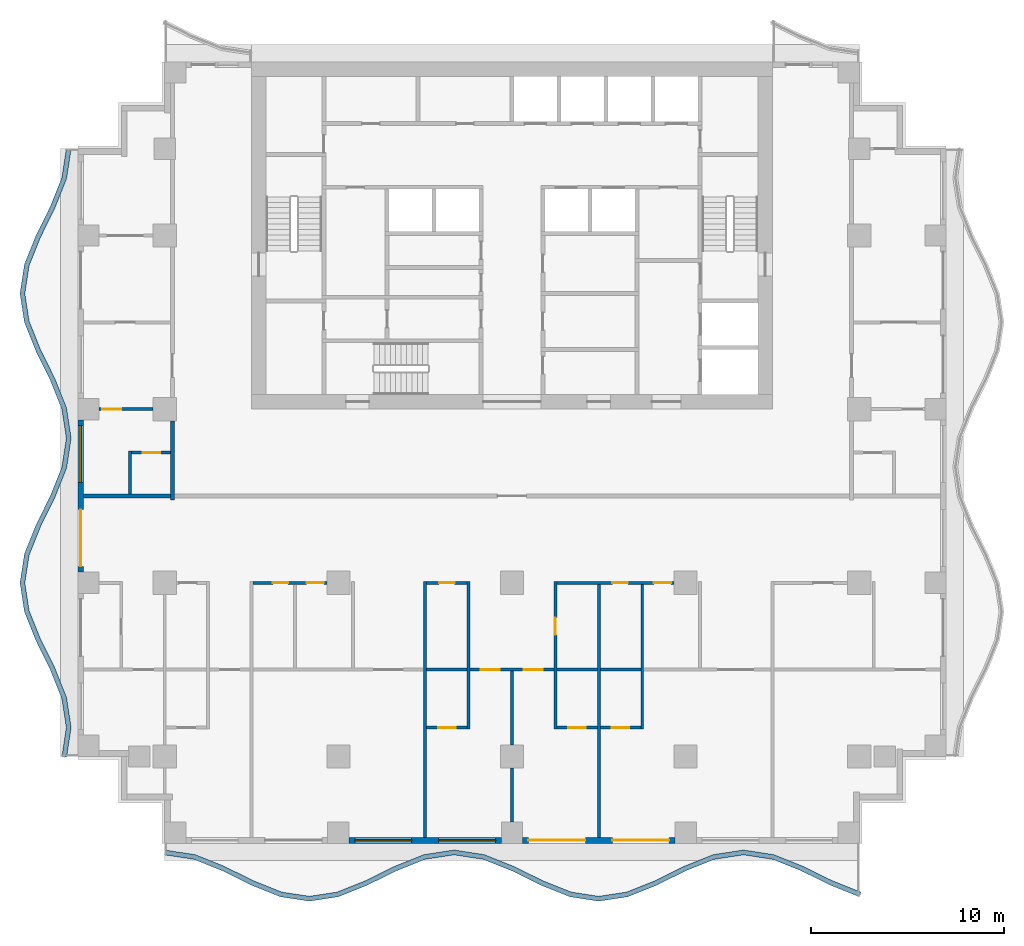
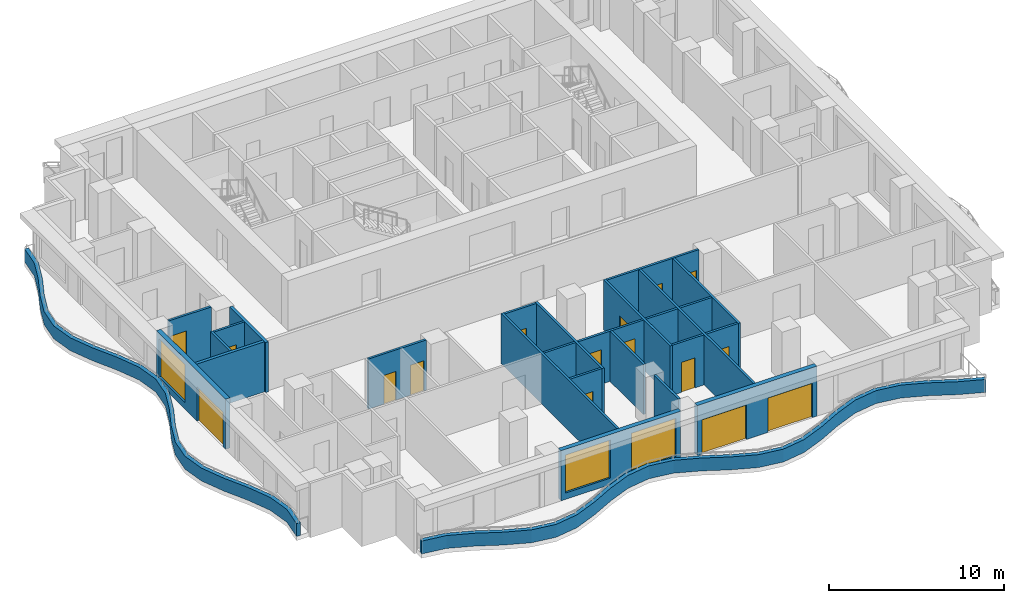
# One storey, part 2 of 10: 27 walls, 16 doors, 3 windows, 19 openings.
"""IFC4 building model written with IfcOpenShell, lengths in metres."""

from ifc_helpers import new_model, si_unit, direction, frame, frame_2d, origin, place, context, subcontext, project, spatial, polyline, rectangle, outline, extrude, material, layer, layer_set, type_object, element, fill, save


model = new_model("IFC4")

# Units and contexts
model_context = context("Model", 3, precision=1e-05, world=origin(), true_north=direction((0.0, 1.0)))
body_context = subcontext(model_context, "Body", "Model", "MODEL_VIEW")
ifc_project = project(units=[si_unit("LENGTHUNIT", "METRE"), si_unit("AREAUNIT", "SQUARE_METRE"), si_unit("VOLUMEUNIT", "CUBIC_METRE"), si_unit("PLANEANGLEUNIT", "RADIAN"), si_unit("MASSUNIT", "GRAM", prefix="KILO")], contexts=[model_context])

# Site, building, storey
site_placement = place(None, origin())
site = spatial("IfcSite", under=ifc_project, at=site_placement, CompositionType="ELEMENT")
building_placement = place(site_placement, origin())
building = spatial("IfcBuilding", under=site, at=building_placement, Name="Orbiselva Terraces", CompositionType="ELEMENT")
storey_placement = place(building_placement, frame((0.0, 0.0, 166.8)))
storey = spatial("IfcBuildingStorey", under=building, at=storey_placement, Name="L42", CompositionType="ELEMENT", Elevation=166.8)

# Walls
ifc_material_1 = material(Name="Concrete C40/50", Category="concrete")
ifc_layer_1 = layer(ifc_material_1, 0.25)
ifc_layer_set_1 = layer_set([ifc_layer_1], Name="Concrete C40/50")
wall_type_1 = type_object("IfcWallType", Name="ENV-PLANTER-250x900", PredefinedType="USERDEFINED", material=ifc_layer_set_1)
wall_1_placement = place(storey_placement, origin())
element("IfcWall", 1, at=wall_1_placement, inside=storey, type_object=wall_type_1, Name="Balcony planter L42 S", ObjectType="PLANTER", PredefinedType="USERDEFINED", context=body_context, shape_type="SweptSolid", body=[
    extrude(outline(polyline([(-18.0, -18.6), (-16.5, -18.82918), (-15.0, -19.42918), (-13.5, -20.17082), (-12.0, -20.77082), (-10.5, -21.0), (-9.0, -20.77082), (-7.5, -20.17082), (-6.0, -19.42918), (-4.5, -18.82918), (-3.0, -18.6), (-1.5, -18.82918), (0.0, -19.42918), (1.5, -20.17082), (3.0, -20.77082), (4.5, -21.0), (6.0, -20.77082), (7.5, -20.17082), (9.0, -19.42918), (10.5, -18.82918), (12.0, -18.6), (13.5, -18.82918), (15.0, -19.42918), (16.5, -20.17082), (18.0, -20.77082), (18.092848, -20.538701), (16.601983, -19.942355), (15.101983, -19.200715), (13.566166, -18.586388), (12.0, -18.347099), (10.433834, -18.586388), (8.898017, -19.200715), (7.398017, -19.942355), (5.933834, -20.528028), (4.5, -20.747099), (3.066166, -20.528028), (1.601983, -19.942355), (0.101983, -19.200715), (-1.433834, -18.586388), (-3.0, -18.347099), (-4.566166, -18.586388), (-6.101983, -19.200715), (-7.601983, -19.942355), (-9.066166, -20.528028), (-10.5, -20.747099), (-11.933834, -20.528028), (-13.398017, -19.942355), (-14.898017, -19.200715), (-16.433834, -18.586388), (-17.962242, -18.352868), (-18.0, -18.6)])), origin(), (0.0, 0.0, 1.0), 0.9),
])
wall_2_placement = place(storey_placement, origin())
element("IfcWall", 2, at=wall_2_placement, inside=storey, type_object=wall_type_1, Name="Balcony planter L42 W", ObjectType="PLANTER", PredefinedType="USERDEFINED", context=body_context, shape_type="SweptSolid", body=[
    extrude(outline(polyline([(-23.1, 18.0), (-23.32918, 16.5), (-23.92918, 15.0), (-24.67082, 13.5), (-25.27082, 12.0), (-25.5, 10.5), (-25.27082, 9.0), (-24.67082, 7.5), (-23.92918, 6.0), (-23.32918, 4.5), (-23.1, 3.0), (-23.32918, 1.5), (-23.92918, 0.0), (-24.67082, -1.5), (-25.27082, -3.0), (-25.5, -4.5), (-25.27082, -6.0), (-24.67082, -7.5), (-23.92918, -9.0), (-23.32918, -10.5), (-23.1, -12.0), (-23.32918, -13.5), (-23.082048, -13.537758), (-22.847099, -12.0), (-23.086388, -10.433834), (-23.700715, -8.898017), (-24.442355, -7.398017), (-25.028028, -5.933834), (-25.247099, -4.5), (-25.028028, -3.066166), (-24.442355, -1.601983), (-23.700715, -0.101983), (-23.086388, 1.433834), (-22.847099, 3.0), (-23.086388, 4.566166), (-23.700715, 6.101983), (-24.442355, 7.601983), (-25.028028, 9.066166), (-25.247099, 10.5), (-25.028028, 11.933834), (-24.442355, 13.398017), (-23.700715, 14.898017), (-23.086388, 16.433834), (-22.852868, 17.962242), (-23.1, 18.0)])), origin(), (0.0, 0.0, 1.0), 0.9),
])

# Wall, openings, windows
ifc_material_2 = material(Name="Terracotta cladding on masonry backing", Category="masonry")
ifc_layer_2 = layer(ifc_material_2, 0.3)
ifc_layer_set_2 = layer_set([ifc_layer_2], Name="Terracotta cladding on masonry backing")
wall_type_2 = type_object("IfcWallType", Name="ENV-WALL-TERRACOTTA-300", PredefinedType="SOLIDWALL", material=ifc_layer_set_2)
wall_3_placement = place(storey_placement, frame((-0.55, -17.85, 0.0), z_axis=(0.0, 0.0, 1.0), x_axis=(-1.0, 0.0, 0.0)))
wall_3 = element("IfcWall", 3, at=wall_3_placement, inside=storey, type_object=wall_type_2, Name="Facade wall L42 S", PredefinedType="SOLIDWALL", context=body_context, shape_type="SweptSolid", body=[
    extrude(rectangle(XDim=7.9, YDim=0.3, at=frame_2d((3.95, 0.0))), origin(), (0.0, 0.0, 1.0), 3.5),
])
opening_1_placement = place(wall_3_placement, frame((4.65, 0.0, 0.45)))
opening_1 = element("IfcOpeningElement", 4, at=opening_1_placement, cuts=wall_3, Name="Opening WN12", PredefinedType="OPENING", context=body_context, shape_type="SweptSolid", body=[
    extrude(rectangle(XDim=2.95, YDim=2.65, at=frame_2d((1.475, 1.325))), frame((0.0, 0.16, 0.0), z_axis=(0.0, -1.0, 0.0), x_axis=(1.0, 0.0, 0.0)), (0.0, 0.0, 1.0), 0.32),
])
opening_2_placement = place(wall_3_placement, frame((0.3, 0.0, 0.45)))
opening_2 = element("IfcOpeningElement", 5, at=opening_2_placement, cuts=wall_3, Name="Opening WN12", PredefinedType="OPENING", context=body_context, shape_type="SweptSolid", body=[
    extrude(rectangle(XDim=2.95, YDim=2.65, at=frame_2d((1.475, 1.325))), frame((0.0, 0.16, 0.0), z_axis=(0.0, -1.0, 0.0), x_axis=(1.0, 0.0, 0.0)), (0.0, 0.0, 1.0), 0.32),
])
ifc_material_3 = material(Name="Clear low-e glazing in aluminium frame", Category="aluminium")
window_type = type_object("IfcWindowType", Name="WINDOW 2950 X 2650 S450", PartitioningType="TRIPLE_PANEL_VERTICAL", PredefinedType="WINDOW", material=ifc_material_3)
window_1_placement = place(opening_1_placement, origin())
window_1 = element("IfcWindow", 6, at=window_1_placement, inside=storey, type_object=window_type, Name="Window L42 S", OverallHeight=2.65, OverallWidth=2.95, PartitioningType="SINGLE_PANEL", PredefinedType="WINDOW", context=body_context, shape_type="SweptSolid", body=[
    extrude(rectangle(XDim=2.95, YDim=2.65, at=frame_2d((1.475, 1.325))), frame((0.0, 0.03, 0.0), z_axis=(0.0, -1.0, 0.0), x_axis=(1.0, 0.0, 0.0)), (0.0, 0.0, 1.0), 0.06),
])
fill(opening_1, window_1)
window_2_placement = place(opening_2_placement, origin())
window_2 = element("IfcWindow", 7, at=window_2_placement, inside=storey, type_object=window_type, Name="Window L42 S", OverallHeight=2.65, OverallWidth=2.95, PartitioningType="SINGLE_PANEL", PredefinedType="WINDOW", context=body_context, shape_type="SweptSolid", body=[
    extrude(rectangle(XDim=2.95, YDim=2.65, at=frame_2d((1.475, 1.325))), frame((0.0, 0.03, 0.0), z_axis=(0.0, -1.0, 0.0), x_axis=(1.0, 0.0, 0.0)), (0.0, 0.0, 1.0), 0.06),
])
fill(opening_2, window_2)

# Wall, openings, doors
wall_4_placement = place(storey_placement, frame((8.45, -17.85, 0.0), z_axis=(0.0, 0.0, 1.0), x_axis=(-1.0, 0.0, 0.0)))
wall_4 = element("IfcWall", 8, at=wall_4_placement, inside=storey, type_object=wall_type_2, Name="Facade wall L42 S", PredefinedType="SOLIDWALL", context=body_context, shape_type="SweptSolid", body=[
    extrude(rectangle(XDim=7.9, YDim=0.3, at=frame_2d((3.95, 0.0))), origin(), (0.0, 0.0, 1.0), 3.5),
])
opening_3_placement = place(wall_4_placement, frame((4.65, 0.0, 0.0)))
opening_3 = element("IfcOpeningElement", 9, at=opening_3_placement, cuts=wall_4, Name="Opening Z3-E-E02", PredefinedType="OPENING", context=body_context, shape_type="SweptSolid", body=[
    extrude(rectangle(XDim=2.95, YDim=2.4, at=frame_2d((1.475, 1.2))), frame((0.0, 0.16, 0.0), z_axis=(0.0, -1.0, 0.0), x_axis=(1.0, 0.0, 0.0)), (0.0, 0.0, 1.0), 0.32),
])
opening_4_placement = place(wall_4_placement, frame((0.3, 0.0, 0.0)))
opening_4 = element("IfcOpeningElement", 10, at=opening_4_placement, cuts=wall_4, Name="Opening Z3-E-E03", PredefinedType="OPENING", context=body_context, shape_type="SweptSolid", body=[
    extrude(rectangle(XDim=2.95, YDim=2.4, at=frame_2d((1.475, 1.2))), frame((0.0, 0.16, 0.0), z_axis=(0.0, -1.0, 0.0), x_axis=(1.0, 0.0, 0.0)), (0.0, 0.0, 1.0), 0.32),
])
door_type_1 = type_object("IfcDoorType", Name="BALCONY DOOR 2950 X 2400", OperationType="DOUBLE_DOOR_SLIDING", PredefinedType="DOOR", material=ifc_material_3)
door_1_placement = place(opening_3_placement, origin())
door_1 = element("IfcDoor", 11, at=door_1_placement, inside=storey, type_object=door_type_1, Name="Z3-E-E02", OperationType="SINGLE_SWING_LEFT", OverallHeight=2.4, OverallWidth=2.95, PredefinedType="DOOR", context=body_context, shape_type="SweptSolid", body=[
    extrude(rectangle(XDim=2.95, YDim=2.4, at=frame_2d((1.475, 1.2))), frame((0.0, 0.025, 0.0), z_axis=(0.0, -1.0, 0.0), x_axis=(1.0, 0.0, 0.0)), (0.0, 0.0, 1.0), 0.05),
])
fill(opening_3, door_1)
door_2_placement = place(opening_4_placement, origin())
door_2 = element("IfcDoor", 12, at=door_2_placement, inside=storey, type_object=door_type_1, Name="Z3-E-E03", OperationType="SINGLE_SWING_LEFT", OverallHeight=2.4, OverallWidth=2.95, PredefinedType="DOOR", context=body_context, shape_type="SweptSolid", body=[
    extrude(rectangle(XDim=2.95, YDim=2.4, at=frame_2d((1.475, 1.2))), frame((0.0, 0.025, 0.0), z_axis=(0.0, -1.0, 0.0), x_axis=(1.0, 0.0, 0.0)), (0.0, 0.0, 1.0), 0.05),
])
fill(opening_4, door_2)

# Wall, openings, door, window
wall_5_placement = place(storey_placement, frame((-22.35, -3.95, 0.0), z_axis=(0.0, 0.0, 1.0), x_axis=(0.0, 1.0, 0.0)))
wall_5 = element("IfcWall", 13, at=wall_5_placement, inside=storey, type_object=wall_type_2, Name="Facade wall L42 W", PredefinedType="SOLIDWALL", context=body_context, shape_type="SweptSolid", body=[
    extrude(rectangle(XDim=7.9, YDim=0.3, at=frame_2d((3.95, 0.0))), origin(), (0.0, 0.0, 1.0), 3.5),
])
opening_5_placement = place(wall_5_placement, frame((4.65, 0.0, 0.45)))
opening_5 = element("IfcOpeningElement", 14, at=opening_5_placement, cuts=wall_5, Name="Opening WN12", PredefinedType="OPENING", context=body_context, shape_type="SweptSolid", body=[
    extrude(rectangle(XDim=2.95, YDim=2.65, at=frame_2d((1.475, 1.325))), frame((0.0, 0.16, 0.0), z_axis=(0.0, -1.0, 0.0), x_axis=(1.0, 0.0, 0.0)), (0.0, 0.0, 1.0), 0.32),
])
opening_6_placement = place(wall_5_placement, frame((0.3, 0.0, 0.0)))
opening_6 = element("IfcOpeningElement", 15, at=opening_6_placement, cuts=wall_5, Name="Opening Z3-E-E10", PredefinedType="OPENING", context=body_context, shape_type="SweptSolid", body=[
    extrude(rectangle(XDim=2.95, YDim=2.4, at=frame_2d((1.475, 1.2))), frame((0.0, 0.16, 0.0), z_axis=(0.0, -1.0, 0.0), x_axis=(1.0, 0.0, 0.0)), (0.0, 0.0, 1.0), 0.32),
])
door_3_placement = place(opening_6_placement, origin())
door_3 = element("IfcDoor", 16, at=door_3_placement, inside=storey, type_object=door_type_1, Name="Z3-E-E10", OperationType="SINGLE_SWING_LEFT", OverallHeight=2.4, OverallWidth=2.95, PredefinedType="DOOR", context=body_context, shape_type="SweptSolid", body=[
    extrude(rectangle(XDim=2.95, YDim=2.4, at=frame_2d((1.475, 1.2))), frame((0.0, 0.025, 0.0), z_axis=(0.0, -1.0, 0.0), x_axis=(1.0, 0.0, 0.0)), (0.0, 0.0, 1.0), 0.05),
])
fill(opening_6, door_3)
window_3_placement = place(opening_5_placement, origin())
window_3 = element("IfcWindow", 17, at=window_3_placement, inside=storey, type_object=window_type, Name="Window L42 W", OverallHeight=2.65, OverallWidth=2.95, PartitioningType="SINGLE_PANEL", PredefinedType="WINDOW", context=body_context, shape_type="SweptSolid", body=[
    extrude(rectangle(XDim=2.95, YDim=2.65, at=frame_2d((1.475, 1.325))), frame((0.0, 0.03, 0.0), z_axis=(0.0, -1.0, 0.0), x_axis=(1.0, 0.0, 0.0)), (0.0, 0.0, 1.0), 0.06),
])
fill(opening_5, window_3)

# Wall
ifc_material_4 = material(Name="Plasterboard on steel stud partition", Category="steel")
ifc_layer_3 = layer(ifc_material_4, 0.2)
ifc_layer_set_3 = layer_set([ifc_layer_3], Name="Plasterboard on steel stud partition")
wall_type_3 = type_object("IfcWallType", Name="UNIT-ENTRANCE-WALL-200", PredefinedType="PARTITIONING", material=ifc_layer_set_3)
wall_6_placement = place(storey_placement, frame((-17.6, -0.2, 0.0), z_axis=(0.0, 0.0, 1.0), x_axis=(0.0, 1.0, 0.0)))
element("IfcWall", 18, at=wall_6_placement, inside=storey, type_object=wall_type_3, Name="PARTITION L42-036", PredefinedType="PARTITIONING", context=body_context, shape_type="SweptSolid", body=[
    extrude(rectangle(XDim=4.1, YDim=0.2, at=frame_2d((2.05, 0.0))), origin(), (0.0, 0.0, 1.0), 3.5),
])

# Wall, opening, door
ifc_layer_4 = layer(ifc_material_4, 0.15)
ifc_layer_set_4 = layer_set([ifc_layer_4], Name="Plasterboard on steel stud partition")
wall_type_4 = type_object("IfcWallType", Name="UNIT-PARTITION-150", PredefinedType="PARTITIONING", material=ifc_layer_set_4)
wall_7_placement = place(storey_placement, frame((-4.425, -12.0, 0.0), z_axis=(0.0, 0.0, 1.0), x_axis=(1.0, 0.0, 0.0)))
wall_7 = element("IfcWall", 19, at=wall_7_placement, inside=storey, type_object=wall_type_4, Name="PARTITION L42-002", PredefinedType="PARTITIONING", context=body_context, shape_type="SweptSolid", body=[
    extrude(rectangle(XDim=2.1, YDim=0.15, at=frame_2d((1.05, 0.0))), origin(), (0.0, 0.0, 1.0), 3.5),
])
opening_7_placement = place(wall_7_placement, frame((0.6, 0.0, 0.0)))
opening_7 = element("IfcOpeningElement", 20, at=opening_7_placement, cuts=wall_7, Name="Opening Z3-E-27", PredefinedType="OPENING", context=body_context, shape_type="SweptSolid", body=[
    extrude(rectangle(XDim=0.9, YDim=2.1, at=frame_2d((0.45, 1.05))), frame((0.0, 0.085, 0.0), z_axis=(0.0, -1.0, 0.0), x_axis=(1.0, 0.0, 0.0)), (0.0, 0.0, 1.0), 0.17),
])
ifc_material_5 = material(Name="Painted timber door leaf", Category="wood")
door_type_2 = type_object("IfcDoorType", Name="BATH DOOR 900", OperationType="NOTDEFINED", PredefinedType="DOOR", material=ifc_material_5)
door_4_placement = place(opening_7_placement, origin())
door_4 = element("IfcDoor", 21, at=door_4_placement, inside=storey, type_object=door_type_2, Name="Z3-E-27", OperationType="SINGLE_SWING_RIGHT", OverallHeight=2.1, OverallWidth=0.9, PredefinedType="DOOR", context=body_context, shape_type="SweptSolid", body=[
    extrude(rectangle(XDim=0.9, YDim=2.1, at=frame_2d((0.45, 1.05))), frame((0.0, 0.025, 0.0), z_axis=(0.0, -1.0, 0.0), x_axis=(1.0, 0.0, 0.0)), (0.0, 0.0, 1.0), 0.05),
])
fill(opening_7, door_4)

wall_8_placement = place(storey_placement, frame((2.325, -12.0, 0.0), z_axis=(0.0, 0.0, 1.0), x_axis=(1.0, 0.0, 0.0)))
wall_8 = element("IfcWall", 22, at=wall_8_placement, inside=storey, type_object=wall_type_4, Name="PARTITION L42-003", PredefinedType="PARTITIONING", context=body_context, shape_type="SweptSolid", body=[
    extrude(rectangle(XDim=2.1, YDim=0.15, at=frame_2d((1.05, 0.0))), origin(), (0.0, 0.0, 1.0), 3.5),
])
opening_8_placement = place(wall_8_placement, frame((0.6, 0.0, 0.0)))
opening_8 = element("IfcOpeningElement", 23, at=opening_8_placement, cuts=wall_8, Name="Opening Z3-E-25", PredefinedType="OPENING", context=body_context, shape_type="SweptSolid", body=[
    extrude(rectangle(XDim=0.9, YDim=2.1, at=frame_2d((0.45, 1.05))), frame((0.0, 0.085, 0.0), z_axis=(0.0, -1.0, 0.0), x_axis=(1.0, 0.0, 0.0)), (0.0, 0.0, 1.0), 0.17),
])
door_5_placement = place(opening_8_placement, origin())
door_5 = element("IfcDoor", 24, at=door_5_placement, inside=storey, type_object=door_type_2, Name="Z3-E-25", OperationType="SINGLE_SWING_RIGHT", OverallHeight=2.1, OverallWidth=0.9, PredefinedType="DOOR", context=body_context, shape_type="SweptSolid", body=[
    extrude(rectangle(XDim=0.9, YDim=2.1, at=frame_2d((0.45, 1.05))), frame((0.0, 0.025, 0.0), z_axis=(0.0, -1.0, 0.0), x_axis=(1.0, 0.0, 0.0)), (0.0, 0.0, 1.0), 0.05),
])
fill(opening_8, door_5)

wall_9_placement = place(storey_placement, frame((4.575, -12.0, 0.0), z_axis=(0.0, 0.0, 1.0), x_axis=(1.0, 0.0, 0.0)))
wall_9 = element("IfcWall", 25, at=wall_9_placement, inside=storey, type_object=wall_type_4, Name="PARTITION L42-004", PredefinedType="PARTITIONING", context=body_context, shape_type="SweptSolid", body=[
    extrude(rectangle(XDim=2.1, YDim=0.15, at=frame_2d((1.05, 0.0))), origin(), (0.0, 0.0, 1.0), 3.5),
])
opening_9_placement = place(wall_9_placement, frame((0.6, 0.0, 0.0)))
opening_9 = element("IfcOpeningElement", 26, at=opening_9_placement, cuts=wall_9, Name="Opening Z3-E-23", PredefinedType="OPENING", context=body_context, shape_type="SweptSolid", body=[
    extrude(rectangle(XDim=0.9, YDim=2.1, at=frame_2d((0.45, 1.05))), frame((0.0, 0.085, 0.0), z_axis=(0.0, -1.0, 0.0), x_axis=(1.0, 0.0, 0.0)), (0.0, 0.0, 1.0), 0.17),
])
door_6_placement = place(opening_9_placement, origin())
door_6 = element("IfcDoor", 27, at=door_6_placement, inside=storey, type_object=door_type_2, Name="Z3-E-23", OperationType="SINGLE_SWING_LEFT", OverallHeight=2.1, OverallWidth=0.9, PredefinedType="DOOR", context=body_context, shape_type="SweptSolid", body=[
    extrude(rectangle(XDim=0.9, YDim=2.1, at=frame_2d((0.45, 1.05))), frame((0.0, 0.025, 0.0), z_axis=(0.0, -1.0, 0.0), x_axis=(1.0, 0.0, 0.0)), (0.0, 0.0, 1.0), 0.05),
])
fill(opening_9, door_6)

# Wall
wall_10_placement = place(storey_placement, frame((-4.425, -9.0, 0.0), z_axis=(0.0, 0.0, 1.0), x_axis=(1.0, 0.0, 0.0)))
element("IfcWall", 28, at=wall_10_placement, inside=storey, type_object=wall_type_4, Name="PARTITION L42-009", PredefinedType="PARTITIONING", context=body_context, shape_type="SweptSolid", body=[
    extrude(rectangle(XDim=2.1, YDim=0.15, at=frame_2d((1.05, 0.0))), origin(), (0.0, 0.0, 1.0), 3.5),
])

# Wall, openings, doors
wall_11_placement = place(storey_placement, frame((2.175, -9.0, 0.0), z_axis=(0.0, 0.0, 1.0), x_axis=(-1.0, 0.0, 0.0)))
wall_11 = element("IfcWall", 29, at=wall_11_placement, inside=storey, type_object=wall_type_4, Name="PARTITION L42-010", PredefinedType="PARTITIONING", context=body_context, shape_type="SweptSolid", body=[
    extrude(rectangle(XDim=4.35, YDim=0.15, at=frame_2d((2.175, 0.0))), origin(), (0.0, 0.0, 1.0), 3.5),
])
opening_10_placement = place(wall_11_placement, frame((0.575, 0.0, 0.0)))
opening_10 = element("IfcOpeningElement", 30, at=opening_10_placement, cuts=wall_11, Name="Opening Z3-E-24", PredefinedType="OPENING", context=body_context, shape_type="SweptSolid", body=[
    extrude(rectangle(XDim=1.0, YDim=2.4, at=frame_2d((0.5, 1.2))), frame((0.0, 0.085, 0.0), z_axis=(0.0, -1.0, 0.0), x_axis=(1.0, 0.0, 0.0)), (0.0, 0.0, 1.0), 0.17),
])
opening_11_placement = place(wall_11_placement, frame((2.8, 0.0, 0.0)))
opening_11 = element("IfcOpeningElement", 31, at=opening_11_placement, cuts=wall_11, Name="Opening Z3-E-26", PredefinedType="OPENING", context=body_context, shape_type="SweptSolid", body=[
    extrude(rectangle(XDim=1.0, YDim=2.4, at=frame_2d((0.5, 1.2))), frame((0.0, 0.085, 0.0), z_axis=(0.0, -1.0, 0.0), x_axis=(1.0, 0.0, 0.0)), (0.0, 0.0, 1.0), 0.17),
])
door_type_3 = type_object("IfcDoorType", Name="ROOM DOOR 1000", OperationType="NOTDEFINED", PredefinedType="DOOR", material=ifc_material_5)
door_7_placement = place(opening_10_placement, origin())
door_7 = element("IfcDoor", 32, at=door_7_placement, inside=storey, type_object=door_type_3, Name="Z3-E-24", OperationType="SINGLE_SWING_LEFT", OverallHeight=2.4, OverallWidth=1.0, PredefinedType="DOOR", context=body_context, shape_type="SweptSolid", body=[
    extrude(rectangle(XDim=1.0, YDim=2.4, at=frame_2d((0.5, 1.2))), frame((0.0, 0.025, 0.0), z_axis=(0.0, -1.0, 0.0), x_axis=(1.0, 0.0, 0.0)), (0.0, 0.0, 1.0), 0.05),
])
fill(opening_10, door_7)
door_8_placement = place(opening_11_placement, origin())
door_8 = element("IfcDoor", 33, at=door_8_placement, inside=storey, type_object=door_type_3, Name="Z3-E-26", OperationType="SINGLE_SWING_RIGHT", OverallHeight=2.4, OverallWidth=1.0, PredefinedType="DOOR", context=body_context, shape_type="SweptSolid", body=[
    extrude(rectangle(XDim=1.0, YDim=2.4, at=frame_2d((0.5, 1.2))), frame((0.0, 0.025, 0.0), z_axis=(0.0, -1.0, 0.0), x_axis=(1.0, 0.0, 0.0)), (0.0, 0.0, 1.0), 0.05),
])
fill(opening_11, door_8)

# Walls
for number, where, z_axis, x_axis, name in (
    (34, (2.325, -9.0, 0.0), (0.0, 0.0, 1.0), (1.0, 0.0, 0.0), "PARTITION L42-011"),
    (35, (4.575, -9.0, 0.0), (0.0, 0.0, 1.0), (1.0, 0.0, 0.0), "PARTITION L42-012"),
):
    element("IfcWall", number, at=place(storey_placement, frame(where, z_axis=z_axis, x_axis=x_axis)), inside=storey, type_object=wall_type_4, Name=name, PredefinedType="PARTITIONING", context=body_context, shape_type="SweptSolid", body=[
        extrude(rectangle(XDim=2.1, YDim=0.15, at=frame_2d((1.05, 0.0))), origin(), (0.0, 0.0, 1.0), 3.5),
    ])

# Wall, openings, doors
wall_12_placement = place(storey_placement, frame((-9.6, -4.5, 0.0), z_axis=(0.0, 0.0, 1.0), x_axis=(-1.0, 0.0, 0.0)))
wall_12 = element("IfcWall", 36, at=wall_12_placement, inside=storey, type_object=wall_type_4, Name="PARTITION L42-017", PredefinedType="PARTITIONING", context=body_context, shape_type="SweptSolid", body=[
    extrude(rectangle(XDim=3.825, YDim=0.15, at=frame_2d((1.9125, 0.0))), origin(), (0.0, 0.0, 1.0), 3.5),
])
opening_12_placement = place(wall_12_placement, frame((0.15, 0.0, 0.0)))
opening_12 = element("IfcOpeningElement", 37, at=opening_12_placement, cuts=wall_12, Name="Opening Z3-E-17", PredefinedType="OPENING", context=body_context, shape_type="SweptSolid", body=[
    extrude(rectangle(XDim=0.9, YDim=2.1, at=frame_2d((0.45, 1.05))), frame((0.0, 0.085, 0.0), z_axis=(0.0, -1.0, 0.0), x_axis=(1.0, 0.0, 0.0)), (0.0, 0.0, 1.0), 0.17),
])
opening_13_placement = place(wall_12_placement, frame((2.0, 0.0, 0.0)))
opening_13 = element("IfcOpeningElement", 38, at=opening_13_placement, cuts=wall_12, Name="Opening Z3-E-18", PredefinedType="OPENING", context=body_context, shape_type="SweptSolid", body=[
    extrude(rectangle(XDim=0.8, YDim=2.0, at=frame_2d((0.4, 1.0))), frame((0.0, 0.085, 0.0), z_axis=(0.0, -1.0, 0.0), x_axis=(1.0, 0.0, 0.0)), (0.0, 0.0, 1.0), 0.17),
])
door_type_4 = type_object("IfcDoorType", Name="SERVICE DOOR 900", OperationType="NOTDEFINED", PredefinedType="DOOR", material=ifc_material_5)
door_9_placement = place(opening_12_placement, origin())
door_9 = element("IfcDoor", 39, at=door_9_placement, inside=storey, type_object=door_type_4, Name="Z3-E-17", OperationType="SINGLE_SWING_LEFT", OverallHeight=2.1, OverallWidth=0.9, PredefinedType="DOOR", context=body_context, shape_type="SweptSolid", body=[
    extrude(rectangle(XDim=0.9, YDim=2.1, at=frame_2d((0.45, 1.05))), frame((0.0, 0.025, 0.0), z_axis=(0.0, -1.0, 0.0), x_axis=(1.0, 0.0, 0.0)), (0.0, 0.0, 1.0), 0.05),
])
fill(opening_12, door_9)
door_type_5 = type_object("IfcDoorType", Name="STORE DOOR 800", OperationType="NOTDEFINED", PredefinedType="DOOR", material=ifc_material_5)
door_10_placement = place(opening_13_placement, origin())
door_10 = element("IfcDoor", 40, at=door_10_placement, inside=storey, type_object=door_type_5, Name="Z3-E-18", OperationType="SINGLE_SWING_RIGHT", OverallHeight=2.0, OverallWidth=0.8, PredefinedType="DOOR", context=body_context, shape_type="SweptSolid", body=[
    extrude(rectangle(XDim=0.8, YDim=2.0, at=frame_2d((0.4, 1.0))), frame((0.0, 0.025, 0.0), z_axis=(0.0, -1.0, 0.0), x_axis=(1.0, 0.0, 0.0)), (0.0, 0.0, 1.0), 0.05),
])
fill(opening_13, door_10)

# Wall, opening, door
wall_13_placement = place(storey_placement, frame((-2.325, -4.5, 0.0), z_axis=(0.0, 0.0, 1.0), x_axis=(-1.0, 0.0, 0.0)))
wall_13 = element("IfcWall", 41, at=wall_13_placement, inside=storey, type_object=wall_type_4, Name="PARTITION L42-018", PredefinedType="PARTITIONING", context=body_context, shape_type="SweptSolid", body=[
    extrude(rectangle(XDim=2.1, YDim=0.15, at=frame_2d((1.05, 0.0))), origin(), (0.0, 0.0, 1.0), 3.5),
])
opening_14_placement = place(wall_13_placement, frame((0.65, 0.0, 0.0)))
opening_14 = element("IfcOpeningElement", 42, at=opening_14_placement, cuts=wall_13, Name="Opening Z3-E-16", PredefinedType="OPENING", context=body_context, shape_type="SweptSolid", body=[
    extrude(rectangle(XDim=0.8, YDim=2.0, at=frame_2d((0.4, 1.0))), frame((0.0, 0.085, 0.0), z_axis=(0.0, -1.0, 0.0), x_axis=(1.0, 0.0, 0.0)), (0.0, 0.0, 1.0), 0.17),
])
door_11_placement = place(opening_14_placement, origin())
door_11 = element("IfcDoor", 43, at=door_11_placement, inside=storey, type_object=door_type_5, Name="Z3-E-16", OperationType="SINGLE_SWING_RIGHT", OverallHeight=2.0, OverallWidth=0.8, PredefinedType="DOOR", context=body_context, shape_type="SweptSolid", body=[
    extrude(rectangle(XDim=0.8, YDim=2.0, at=frame_2d((0.4, 1.0))), frame((0.0, 0.025, 0.0), z_axis=(0.0, -1.0, 0.0), x_axis=(1.0, 0.0, 0.0)), (0.0, 0.0, 1.0), 0.05),
])
fill(opening_14, door_11)

# Wall, openings, doors
wall_14_placement = place(storey_placement, frame((8.4, -4.5, 0.0), z_axis=(0.0, 0.0, 1.0), x_axis=(-1.0, 0.0, 0.0)))
wall_14 = element("IfcWall", 44, at=wall_14_placement, inside=storey, type_object=wall_type_4, Name="PARTITION L42-019", PredefinedType="PARTITIONING", context=body_context, shape_type="SweptSolid", body=[
    extrude(rectangle(XDim=6.075, YDim=0.15, at=frame_2d((3.0375, 0.0))), origin(), (0.0, 0.0, 1.0), 3.5),
])
opening_15_placement = place(wall_14_placement, frame((0.15, 0.0, 0.0)))
opening_15 = element("IfcOpeningElement", 45, at=opening_15_placement, cuts=wall_14, Name="Opening Z3-E-13", PredefinedType="OPENING", context=body_context, shape_type="SweptSolid", body=[
    extrude(rectangle(XDim=0.9, YDim=2.1, at=frame_2d((0.45, 1.05))), frame((0.0, 0.085, 0.0), z_axis=(0.0, -1.0, 0.0), x_axis=(1.0, 0.0, 0.0)), (0.0, 0.0, 1.0), 0.17),
])
opening_16_placement = place(wall_14_placement, frame((2.4, 0.0, 0.0)))
opening_16 = element("IfcOpeningElement", 46, at=opening_16_placement, cuts=wall_14, Name="Opening Z3-E-14", PredefinedType="OPENING", context=body_context, shape_type="SweptSolid", body=[
    extrude(rectangle(XDim=0.8, YDim=2.0, at=frame_2d((0.4, 1.0))), frame((0.0, 0.085, 0.0), z_axis=(0.0, -1.0, 0.0), x_axis=(1.0, 0.0, 0.0)), (0.0, 0.0, 1.0), 0.17),
])
door_12_placement = place(opening_15_placement, origin())
door_12 = element("IfcDoor", 47, at=door_12_placement, inside=storey, type_object=door_type_4, Name="Z3-E-13", OperationType="SINGLE_SWING_LEFT", OverallHeight=2.1, OverallWidth=0.9, PredefinedType="DOOR", context=body_context, shape_type="SweptSolid", body=[
    extrude(rectangle(XDim=0.9, YDim=2.1, at=frame_2d((0.45, 1.05))), frame((0.0, 0.025, 0.0), z_axis=(0.0, -1.0, 0.0), x_axis=(1.0, 0.0, 0.0)), (0.0, 0.0, 1.0), 0.05),
])
fill(opening_15, door_12)
door_13_placement = place(opening_16_placement, origin())
door_13 = element("IfcDoor", 48, at=door_13_placement, inside=storey, type_object=door_type_5, Name="Z3-E-14", OperationType="SINGLE_SWING_LEFT", OverallHeight=2.0, OverallWidth=0.8, PredefinedType="DOOR", context=body_context, shape_type="SweptSolid", body=[
    extrude(rectangle(XDim=0.8, YDim=2.0, at=frame_2d((0.4, 1.0))), frame((0.0, 0.025, 0.0), z_axis=(0.0, -1.0, 0.0), x_axis=(1.0, 0.0, 0.0)), (0.0, 0.0, 1.0), 0.05),
])
fill(opening_16, door_13)

# Wall, opening, door
wall_15_placement = place(storey_placement, frame((-17.7, 2.25, 0.0), z_axis=(0.0, 0.0, 1.0), x_axis=(-1.0, 0.0, 0.0)))
wall_15 = element("IfcWall", 49, at=wall_15_placement, inside=storey, type_object=wall_type_4, Name="PARTITION L42-024", PredefinedType="PARTITIONING", context=body_context, shape_type="SweptSolid", body=[
    extrude(rectangle(XDim=2.03, YDim=0.15, at=frame_2d((1.015, 0.0))), origin(), (0.0, 0.0, 1.0), 3.5),
])
opening_17_placement = place(wall_15_placement, frame((0.53, 0.0, 0.0)))
opening_17 = element("IfcOpeningElement", 50, at=opening_17_placement, cuts=wall_15, Name="Opening Z3-E-02", PredefinedType="OPENING", context=body_context, shape_type="SweptSolid", body=[
    extrude(rectangle(XDim=0.9, YDim=2.1, at=frame_2d((0.45, 1.05))), frame((0.0, 0.085, 0.0), z_axis=(0.0, -1.0, 0.0), x_axis=(1.0, 0.0, 0.0)), (0.0, 0.0, 1.0), 0.17),
])
door_14_placement = place(opening_17_placement, origin())
door_14 = element("IfcDoor", 51, at=door_14_placement, inside=storey, type_object=door_type_2, Name="Z3-E-02", OperationType="SINGLE_SWING_LEFT", OverallHeight=2.1, OverallWidth=0.9, PredefinedType="DOOR", context=body_context, shape_type="SweptSolid", body=[
    extrude(rectangle(XDim=0.9, YDim=2.1, at=frame_2d((0.45, 1.05))), frame((0.0, 0.025, 0.0), z_axis=(0.0, -1.0, 0.0), x_axis=(1.0, 0.0, 0.0)), (0.0, 0.0, 1.0), 0.05),
])
fill(opening_17, door_14)

wall_16_placement = place(storey_placement, frame((-18.6, 4.5, 0.0), z_axis=(0.0, 0.0, 1.0), x_axis=(-1.0, 0.0, 0.0)))
wall_16 = element("IfcWall", 52, at=wall_16_placement, inside=storey, type_object=wall_type_4, Name="PARTITION L42-026", PredefinedType="PARTITIONING", context=body_context, shape_type="SweptSolid", body=[
    extrude(rectangle(XDim=2.8, YDim=0.15, at=frame_2d((1.4, 0.0))), origin(), (0.0, 0.0, 1.0), 3.5),
])
opening_18_placement = place(wall_16_placement, frame((1.65, 0.0, 0.0)))
opening_18 = element("IfcOpeningElement", 53, at=opening_18_placement, cuts=wall_16, Name="Opening Z3-E-01", PredefinedType="OPENING", context=body_context, shape_type="SweptSolid", body=[
    extrude(rectangle(XDim=1.0, YDim=2.4, at=frame_2d((0.5, 1.2))), frame((0.0, 0.085, 0.0), z_axis=(0.0, -1.0, 0.0), x_axis=(1.0, 0.0, 0.0)), (0.0, 0.0, 1.0), 0.17),
])
door_15_placement = place(opening_18_placement, origin())
door_15 = element("IfcDoor", 54, at=door_15_placement, inside=storey, type_object=door_type_3, Name="Z3-E-01", OperationType="SINGLE_SWING_RIGHT", OverallHeight=2.4, OverallWidth=1.0, PredefinedType="DOOR", context=body_context, shape_type="SweptSolid", body=[
    extrude(rectangle(XDim=1.0, YDim=2.4, at=frame_2d((0.5, 1.2))), frame((0.0, 0.025, 0.0), z_axis=(0.0, -1.0, 0.0), x_axis=(1.0, 0.0, 0.0)), (0.0, 0.0, 1.0), 0.05),
])
fill(opening_18, door_15)

# Walls
wall_17_placement = place(storey_placement, frame((-19.805, 0.1, 0.0), z_axis=(0.0, 0.0, 1.0), x_axis=(0.0, 1.0, 0.0)))
element("IfcWall", 55, at=wall_17_placement, inside=storey, type_object=wall_type_4, Name="PARTITION L42-033", PredefinedType="PARTITIONING", context=body_context, shape_type="SweptSolid", body=[
    extrude(rectangle(XDim=2.225, YDim=0.15, at=frame_2d((1.1125, 0.0))), origin(), (0.0, 0.0, 1.0), 3.5),
])
wall_18_placement = place(storey_placement, frame((-4.5, -17.7, 0.0), z_axis=(0.0, 0.0, 1.0), x_axis=(0.0, 1.0, 0.0)))
element("IfcWall", 56, at=wall_18_placement, inside=storey, type_object=wall_type_4, Name="PARTITION L42-044", PredefinedType="PARTITIONING", context=body_context, shape_type="SweptSolid", body=[
    extrude(rectangle(XDim=13.275, YDim=0.15, at=frame_2d((6.6375, 0.0))), origin(), (0.0, 0.0, 1.0), 3.5),
])
wall_19_placement = place(storey_placement, frame((-2.25, -12.075, 0.0), z_axis=(0.0, 0.0, 1.0), x_axis=(0.0, 1.0, 0.0)))
element("IfcWall", 57, at=wall_19_placement, inside=storey, type_object=wall_type_4, Name="PARTITION L42-045", PredefinedType="PARTITIONING", context=body_context, shape_type="SweptSolid", body=[
    extrude(rectangle(XDim=7.65, YDim=0.15, at=frame_2d((3.825, 0.0))), origin(), (0.0, 0.0, 1.0), 3.5),
])
wall_20_placement = place(storey_placement, frame((0.0, -16.9, 0.0), z_axis=(0.0, 0.0, 1.0), x_axis=(0.0, 1.0, 0.0)))
element("IfcWall", 58, at=wall_20_placement, inside=storey, type_object=wall_type_4, Name="PARTITION L42-046", PredefinedType="PARTITIONING", context=body_context, shape_type="SweptSolid", body=[
    extrude(rectangle(XDim=2.8, YDim=0.15, at=frame_2d((1.4, 0.0))), origin(), (0.0, 0.0, 1.0), 3.5),
])
wall_21_placement = place(storey_placement, frame((0.0, -12.9, 0.0), z_axis=(0.0, 0.0, 1.0), x_axis=(0.0, 1.0, 0.0)))
element("IfcWall", 59, at=wall_21_placement, inside=storey, type_object=wall_type_4, Name="PARTITION L42-047", PredefinedType="PARTITIONING", context=body_context, shape_type="SweptSolid", body=[
    extrude(rectangle(XDim=3.825, YDim=0.15, at=frame_2d((1.9125, 0.0))), origin(), (0.0, 0.0, 1.0), 3.5),
])

# Wall, opening, door
wall_22_placement = place(storey_placement, frame((2.25, -4.425, 0.0), z_axis=(0.0, 0.0, 1.0), x_axis=(0.0, -1.0, 0.0)))
wall_22 = element("IfcWall", 60, at=wall_22_placement, inside=storey, type_object=wall_type_4, Name="PARTITION L42-048", PredefinedType="PARTITIONING", context=body_context, shape_type="SweptSolid", body=[
    extrude(rectangle(XDim=7.65, YDim=0.15, at=frame_2d((3.825, 0.0))), origin(), (0.0, 0.0, 1.0), 3.5),
])
opening_19_placement = place(wall_22_placement, frame((1.875, 0.0, 0.0)))
opening_19 = element("IfcOpeningElement", 61, at=opening_19_placement, cuts=wall_22, Name="Opening Z3-E-15", PredefinedType="OPENING", context=body_context, shape_type="SweptSolid", body=[
    extrude(rectangle(XDim=0.9, YDim=2.1, at=frame_2d((0.45, 1.05))), frame((0.0, 0.085, 0.0), z_axis=(0.0, -1.0, 0.0), x_axis=(1.0, 0.0, 0.0)), (0.0, 0.0, 1.0), 0.17),
])
door_16_placement = place(opening_19_placement, origin())
door_16 = element("IfcDoor", 62, at=door_16_placement, inside=storey, type_object=door_type_2, Name="Z3-E-15", OperationType="SINGLE_SWING_LEFT", OverallHeight=2.1, OverallWidth=0.9, PredefinedType="DOOR", context=body_context, shape_type="SweptSolid", body=[
    extrude(rectangle(XDim=0.9, YDim=2.1, at=frame_2d((0.45, 1.05))), frame((0.0, 0.025, 0.0), z_axis=(0.0, -1.0, 0.0), x_axis=(1.0, 0.0, 0.0)), (0.0, 0.0, 1.0), 0.05),
])
fill(opening_19, door_16)

# Walls
wall_23_placement = place(storey_placement, frame((4.5, -17.7, 0.0), z_axis=(0.0, 0.0, 1.0), x_axis=(0.0, 1.0, 0.0)))
element("IfcWall", 63, at=wall_23_placement, inside=storey, type_object=wall_type_4, Name="PARTITION L42-049", PredefinedType="PARTITIONING", context=body_context, shape_type="SweptSolid", body=[
    extrude(rectangle(XDim=13.125, YDim=0.15, at=frame_2d((6.5625, 0.0))), origin(), (0.0, 0.0, 1.0), 3.5),
])
wall_24_placement = place(storey_placement, frame((6.75, -12.075, 0.0), z_axis=(0.0, 0.0, 1.0), x_axis=(0.0, 1.0, 0.0)))
element("IfcWall", 64, at=wall_24_placement, inside=storey, type_object=wall_type_4, Name="PARTITION L42-050", PredefinedType="PARTITIONING", context=body_context, shape_type="SweptSolid", body=[
    extrude(rectangle(XDim=7.5, YDim=0.15, at=frame_2d((3.75, 0.0))), origin(), (0.0, 0.0, 1.0), 3.5),
])
ifc_layer_5 = layer(ifc_material_4, 0.2)
ifc_layer_set_5 = layer_set([ifc_layer_5], Name="Plasterboard on steel stud partition")
wall_type_5 = type_object("IfcWallType", Name="UNIT-PARTY-WALL-200", PredefinedType="PARTITIONING", material=ifc_layer_set_5)
wall_25_placement = place(storey_placement, frame((-22.2, 0.0, 0.0), z_axis=(0.0, 0.0, 1.0), x_axis=(1.0, 0.0, 0.0)))
element("IfcWall", 65, at=wall_25_placement, inside=storey, type_object=wall_type_5, Name="PARTITION L42-022", PredefinedType="PARTITIONING", context=body_context, shape_type="SweptSolid", body=[
    extrude(rectangle(XDim=4.5, YDim=0.2, at=frame_2d((2.25, 0.0))), origin(), (0.0, 0.0, 1.0), 3.5),
])

save(model, "model.ifc")
